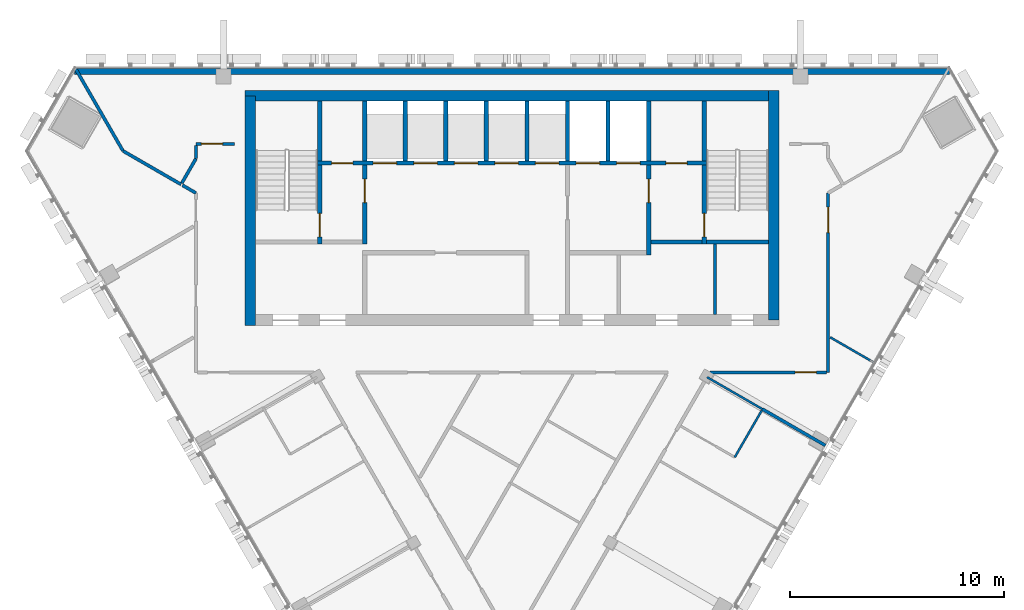
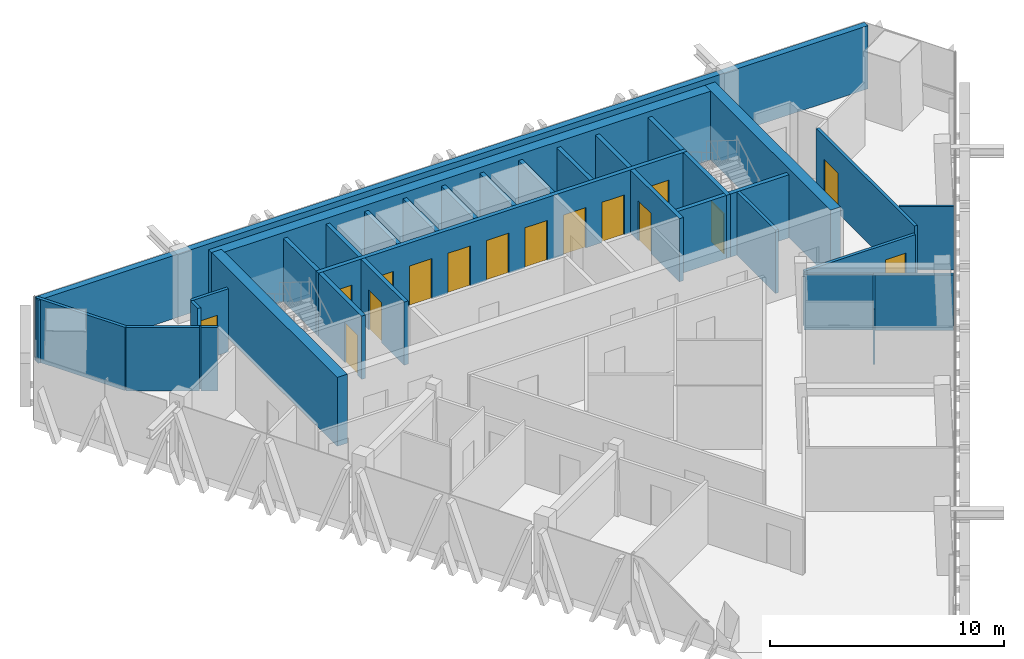
# One storey, part 9 of 12: 34 walls, 16 doors, 16 openings.
"""IFC4 building model written with IfcOpenShell, lengths in metres."""

from ifc_helpers import new_model, si_unit, direction, frame, frame_2d, origin, place, context, subcontext, project, spatial, rectangle, extrude, material, layer, layer_set, type_object, element, fill, save


model = new_model("IFC4")

# Units and contexts
model_context = context("Model", 3, precision=1e-05, world=origin(), true_north=direction((0.0, 1.0)))
body_context = subcontext(model_context, "Body", "Model", "MODEL_VIEW")
ifc_project = project(units=[si_unit("LENGTHUNIT", "METRE"), si_unit("AREAUNIT", "SQUARE_METRE"), si_unit("VOLUMEUNIT", "CUBIC_METRE"), si_unit("PLANEANGLEUNIT", "RADIAN"), si_unit("MASSUNIT", "GRAM", prefix="KILO")], contexts=[model_context])

# Site, building, storey
site_placement = place(None, origin())
site = spatial("IfcSite", under=ifc_project, at=site_placement, CompositionType="ELEMENT")
building_placement = place(site_placement, origin())
building = spatial("IfcBuilding", under=site, at=building_placement, Name="Altiplano Prism Tower", CompositionType="ELEMENT")
storey_placement = place(building_placement, frame((0.0, 0.0, 282.39990234375)))
storey = spatial("IfcBuildingStorey", under=building, at=storey_placement, Name="L73", CompositionType="ELEMENT", Elevation=282.39990234375)

# Walls
ifc_material_1 = material(Name="Concrete C60/75", Category="concrete")
ifc_layer_1 = layer(ifc_material_1, 0.5)
ifc_layer_set_1 = layer_set([ifc_layer_1], Name="Concrete C60/75")
wall_type_1 = type_object("IfcWallType", Name="Core wall 500", PredefinedType="SHEAR", material=ifc_layer_set_1)
wall_1_placement = place(storey_placement, frame((97.25, 93.14990234375, 0.0), z_axis=(0.0, 0.0, 1.0), x_axis=(0.0, 1.0, 0.0)))
element("IfcWall", 1, at=wall_1_placement, inside=storey, type_object=wall_type_1, Name="Core wall E L73", PredefinedType="SHEAR", context=body_context, shape_type="SweptSolid", body=[
    extrude(rectangle(XDim=10.75, YDim=0.5, at=frame_2d((5.375, 0.0))), origin(), (0.0, 0.0, 1.0), 3.60009765625),
])
wall_2_placement = place(storey_placement, frame((97.25, 103.64990234375, 0.0), z_axis=(0.0, 0.0, 1.0), x_axis=(-1.0, 0.0, 0.0)))
element("IfcWall", 2, at=wall_2_placement, inside=storey, type_object=wall_type_1, Name="Core wall N L73", PredefinedType="SHEAR", context=body_context, shape_type="SweptSolid", body=[
    extrude(rectangle(XDim=24.75, YDim=0.5, at=frame_2d((12.375, 0.0))), origin(), (0.0, 0.0, 1.0), 3.60009765625),
])
wall_3_placement = place(storey_placement, frame((72.75, 103.64990234375, 0.0), z_axis=(0.0, 0.0, 1.0), x_axis=(0.0, -1.0, 0.0)))
element("IfcWall", 3, at=wall_3_placement, inside=storey, type_object=wall_type_1, Name="Core wall W L73", PredefinedType="SHEAR", context=body_context, shape_type="SweptSolid", body=[
    extrude(rectangle(XDim=10.75, YDim=0.5, at=frame_2d((5.375, 0.0))), origin(), (0.0, 0.0, 1.0), 3.60009765625),
])
ifc_material_2 = material(Name="Plasterboard on steel stud", Category="steel")
ifc_layer_2 = layer(ifc_material_2, 0.10009765625)
ifc_layer_set_2 = layer_set([ifc_layer_2], Name="Plasterboard on steel stud")
wall_type_2 = type_object("IfcWallType", Name="Partition 100 unit", PredefinedType="PARTITIONING", material=ifc_layer_set_2)
wall_4_placement = place(storey_placement, frame((96.693115234375, 88.9111328125, 0.0), z_axis=(0.0, 0.0, 1.0), x_axis=(-0.50001820224, -0.866014894461, 0.0)))
element("IfcWall", 4, at=wall_4_placement, inside=storey, type_object=wall_type_2, Name="Partition P02 L73 036", PredefinedType="PARTITIONING", context=body_context, shape_type="SweptSolid", body=[
    extrude(rectangle(XDim=2.52490234375, YDim=0.10009765625, at=frame_2d((1.262451171875, 0.0))), origin(), (0.0, 0.0, 1.0), 2.900146484375),
])
ifc_layer_3 = layer(ifc_material_2, 0.10009765625)
ifc_layer_set_3 = layer_set([ifc_layer_3], Name="Plasterboard on steel stud")
wall_type_3 = type_object("IfcWallType", Name="Partition 100 wet", PredefinedType="PARTITIONING", material=ifc_layer_set_3)
wall_5_placement = place(storey_placement, frame((96.71337890625, 88.986083984375, 0.0), z_axis=(0.0, 0.0, 1.0), x_axis=(-0.866031423615, 0.499989573202, 0.0)))
element("IfcWall", 5, at=wall_5_placement, inside=storey, type_object=wall_type_3, Name="Partition P03 L73 039", PredefinedType="PARTITIONING", context=body_context, shape_type="SweptSolid", body=[
    extrude(rectangle(XDim=2.97998046875, YDim=0.10009765625, at=frame_2d((1.489990234375, 0.0))), origin(), (0.0, 0.0, 1.0), 2.900146484375),
])
wall_6_placement = place(storey_placement, frame((101.942626953125, 91.1630859375, 0.0), z_axis=(0.0, 0.0, 1.0), x_axis=(-0.866056314953, 0.499946456463, 0.0)))
element("IfcWall", 6, at=wall_6_placement, inside=storey, type_object=wall_type_3, Name="Partition P03 L73 040", PredefinedType="PARTITIONING", context=body_context, shape_type="SweptSolid", body=[
    extrude(rectangle(XDim=2.358642578125, YDim=0.10009765625, at=frame_2d((1.17919921875, 0.0))), origin(), (0.0, 0.0, 1.0), 3.300048828125),
])
ifc_layer_4 = layer(ifc_material_2, 0.14990234375)
ifc_layer_set_4 = layer_set([ifc_layer_4], Name="Plasterboard on steel stud")
wall_type_4 = type_object("IfcWallType", Name="Partition 150 corridor", PredefinedType="PARTITIONING", material=ifc_layer_set_4)
wall_7_placement = place(storey_placement, frame((69.56787109375, 99.46240234375, 0.0), z_axis=(0.0, 0.0, 1.0), x_axis=(0.865990618459, -0.500060245112, 0.0)))
element("IfcWall", 7, at=wall_7_placement, inside=storey, type_object=wall_type_4, Name="Partition P06 L73 002", PredefinedType="PARTITIONING", context=body_context, shape_type="SweptSolid", body=[
    extrude(rectangle(XDim=0.72998046875, YDim=0.14990234375, at=frame_2d((0.364990234375, 0.0))), origin(), (0.0, 0.0, 1.0), 3.300048828125),
])

# Wall, opening, door
wall_8_placement = place(storey_placement, frame((94.26171875, 90.699951171875, 0.0), z_axis=(0.0, 0.0, 1.0), x_axis=(1.0, 0.0, 0.0)))
wall_8 = element("IfcWall", 8, at=wall_8_placement, inside=storey, type_object=wall_type_4, Name="Partition P06 L73 007", PredefinedType="PARTITIONING", context=body_context, shape_type="SweptSolid", body=[
    extrude(rectangle(XDim=5.463134765625, YDim=0.14990234375, at=frame_2d((2.7314453125, 0.0))), origin(), (0.0, 0.0, 1.0), 2.900146484375),
])
opening_1_placement = place(wall_8_placement, frame((3.9951171875, 0.0, 0.0)))
opening_1 = element("IfcOpeningElement", 9, at=opening_1_placement, cuts=wall_8, Name="Opening D2285", PredefinedType="OPENING", context=body_context, shape_type="SweptSolid", body=[
    extrude(rectangle(XDim=1.0, YDim=2.10009765625, at=frame_2d((0.5, 1.050048828125))), frame((0.0, 0.08544921875, 0.0), z_axis=(0.0, -1.0, 0.0), x_axis=(1.0, 0.0, 0.0)), (0.0, 0.0, 1.0), 0.1708984375),
])
ifc_material_3 = material(Name="Timber", Category="wood")
door_type_1 = type_object("IfcDoorType", Name="Room door 1000 x 2100", OperationType="NOTDEFINED", PredefinedType="NOTDEFINED", material=ifc_material_3)
door_1_placement = place(opening_1_placement, origin())
door_1 = element("IfcDoor", 10, at=door_1_placement, inside=storey, type_object=door_type_1, Name="Door D2285", OperationType="SINGLE_SWING_LEFT", OverallHeight=2.10009765625, OverallWidth=1.0, PredefinedType="NOTDEFINED", context=body_context, shape_type="SweptSolid", body=[
    extrude(rectangle(XDim=1.0, YDim=2.10009765625, at=frame_2d((0.5, 1.050048828125))), frame((0.0, 0.02490234375, 0.0), z_axis=(0.0, -1.0, 0.0), x_axis=(1.0, 0.0, 0.0)), (0.0, 0.0, 1.0), 0.050048828125),
])
fill(opening_1, door_1)

wall_9_placement = place(storey_placement, frame((99.800048828125, 90.699951171875, 0.0), z_axis=(0.0, 0.0, 1.0), x_axis=(0.0, 1.0, 0.0)))
wall_9 = element("IfcWall", 11, at=wall_9_placement, inside=storey, type_object=wall_type_4, Name="Partition P06 L73 008", PredefinedType="PARTITIONING", context=body_context, shape_type="SweptSolid", body=[
    extrude(rectangle(XDim=8.3974609375, YDim=0.14990234375, at=frame_2d((4.19873046875, 0.0))), origin(), (0.0, 0.0, 1.0), 3.300048828125),
])
opening_2_placement = place(wall_9_placement, frame((6.5380859375, 0.0, 0.0)))
opening_2 = element("IfcOpeningElement", 12, at=opening_2_placement, cuts=wall_9, Name="Opening D2286", PredefinedType="OPENING", context=body_context, shape_type="SweptSolid", body=[
    extrude(rectangle(XDim=1.199951171875, YDim=2.10009765625, at=frame_2d((0.60009765625, 1.050048828125))), frame((0.0, 0.08544921875, 0.0), z_axis=(0.0, -1.0, 0.0), x_axis=(1.0, 0.0, 0.0)), (0.0, 0.0, 1.0), 0.1708984375),
])
door_type_2 = type_object("IfcDoorType", Name="Shared room door 1200 x 2100", OperationType="NOTDEFINED", PredefinedType="NOTDEFINED", material=ifc_material_3)
door_2_placement = place(opening_2_placement, origin())
door_2 = element("IfcDoor", 13, at=door_2_placement, inside=storey, type_object=door_type_2, Name="Door D2286", OperationType="SINGLE_SWING_LEFT", OverallHeight=2.10009765625, OverallWidth=1.199951171875, PredefinedType="NOTDEFINED", context=body_context, shape_type="SweptSolid", body=[
    extrude(rectangle(XDim=1.199951171875, YDim=2.10009765625, at=frame_2d((0.60009765625, 1.050048828125))), frame((0.0, 0.02490234375, 0.0), z_axis=(0.0, -1.0, 0.0), x_axis=(1.0, 0.0, 0.0)), (0.0, 0.0, 1.0), 0.050048828125),
])
fill(opening_2, door_2)

wall_10_placement = place(storey_placement, frame((72.0, 101.39990234375, 0.0), z_axis=(0.0, 0.0, 1.0), x_axis=(-1.0, 0.0, 0.0)))
wall_10 = element("IfcWall", 14, at=wall_10_placement, inside=storey, type_object=wall_type_4, Name="Partition P06 L73 013", PredefinedType="PARTITIONING", context=body_context, shape_type="SweptSolid", body=[
    extrude(rectangle(XDim=1.800048828125, YDim=0.14990234375, at=frame_2d((0.89990234375, 0.0))), origin(), (0.0, 0.0, 1.0), 3.300048828125),
])
opening_3_placement = place(wall_10_placement, frame((0.550048828125, 0.0, 0.0)))
opening_3 = element("IfcOpeningElement", 15, at=opening_3_placement, cuts=wall_10, Name="Opening D2288", PredefinedType="OPENING", context=body_context, shape_type="SweptSolid", body=[
    extrude(rectangle(XDim=1.0, YDim=2.10009765625, at=frame_2d((0.5, 1.050048828125))), frame((0.0, 0.08544921875, 0.0), z_axis=(0.0, -1.0, 0.0), x_axis=(1.0, 0.0, 0.0)), (0.0, 0.0, 1.0), 0.1708984375),
])
door_type_3 = type_object("IfcDoorType", Name="Store door 1000 x 2100", OperationType="NOTDEFINED", PredefinedType="NOTDEFINED", material=ifc_material_3)
door_3_placement = place(opening_3_placement, origin())
door_3 = element("IfcDoor", 16, at=door_3_placement, inside=storey, type_object=door_type_3, Name="Door D2288", OperationType="SINGLE_SWING_RIGHT", OverallHeight=2.10009765625, OverallWidth=1.0, PredefinedType="NOTDEFINED", context=body_context, shape_type="SweptSolid", body=[
    extrude(rectangle(XDim=1.0, YDim=2.10009765625, at=frame_2d((0.5, 1.050048828125))), frame((0.0, 0.02490234375, 0.0), z_axis=(0.0, -1.0, 0.0), x_axis=(1.0, 0.0, 0.0)), (0.0, 0.0, 1.0), 0.050048828125),
])
fill(opening_3, door_3)

# Walls
wall_11_placement = place(storey_placement, frame((70.199951171875, 101.324951171875, 0.0), z_axis=(0.0, 0.0, 1.0), x_axis=(0.0, -1.0, 0.0)))
element("IfcWall", 17, at=wall_11_placement, inside=storey, type_object=wall_type_4, Name="Partition P06 L73 014", PredefinedType="PARTITIONING", context=body_context, shape_type="SweptSolid", body=[
    extrude(rectangle(XDim=0.617431640625, YDim=0.14990234375, at=frame_2d((0.30859375, 0.0))), origin(), (0.0, 0.0, 1.0), 3.300048828125),
])
wall_12_placement = place(storey_placement, frame((70.199951171875, 100.70751953125, 0.0), z_axis=(0.0, 0.0, 1.0), x_axis=(-0.500000102728, -0.866025344474, 0.0)))
element("IfcWall", 18, at=wall_12_placement, inside=storey, type_object=wall_type_4, Name="Partition P06 L73 015", PredefinedType="PARTITIONING", context=body_context, shape_type="SweptSolid", body=[
    extrude(rectangle(XDim=1.3193359375, YDim=0.14990234375, at=frame_2d((0.65966796875, 0.0))), origin(), (0.0, 0.0, 1.0), 3.300048828125),
])
ifc_layer_5 = layer(ifc_material_2, 0.14990234375)
ifc_layer_set_5 = layer_set([ifc_layer_5], Name="Plasterboard on steel stud")
wall_type_5 = type_object("IfcWallType", Name="Partition 150 party", PredefinedType="PARTITIONING", material=ifc_layer_set_5)
wall_13_placement = place(storey_placement, frame((69.5029296875, 99.5, 0.0), z_axis=(0.0, 0.0, 1.0), x_axis=(-0.866022320763, 0.500005339912, 0.0)))
element("IfcWall", 19, at=wall_13_placement, inside=storey, type_object=wall_type_5, Name="Partition P01 L73 024", PredefinedType="PARTITIONING", context=body_context, shape_type="SweptSolid", body=[
    extrude(rectangle(XDim=3.1376953125, YDim=0.14990234375, at=frame_2d((1.56884765625, 0.0))), origin(), (0.0, 0.0, 1.0), 3.300048828125),
])
wall_14_placement = place(storey_placement, frame((66.78564453125, 101.06884765625, 0.0), z_axis=(0.0, 0.0, 1.0), x_axis=(-0.500009088543, 0.866020156448, 0.0)))
element("IfcWall", 20, at=wall_14_placement, inside=storey, type_object=wall_type_5, Name="Partition P01 L73 025", PredefinedType="PARTITIONING", context=body_context, shape_type="SweptSolid", body=[
    extrude(rectangle(XDim=4.423828125, YDim=0.14990234375, at=frame_2d((2.2119140625, 0.0))), origin(), (0.0, 0.0, 1.0), 3.300048828125),
])
wall_15_placement = place(storey_placement, frame((99.675048828125, 87.276123046875, 0.0), z_axis=(0.0, 0.0, 1.0), x_axis=(-0.866020337685, 0.500008774639, 0.0)))
element("IfcWall", 21, at=wall_15_placement, inside=storey, type_object=wall_type_5, Name="Partition P01 L73 038", PredefinedType="PARTITIONING", context=body_context, shape_type="SweptSolid", body=[
    extrude(rectangle(XDim=3.419921875, YDim=0.14990234375, at=frame_2d((1.7099609375, 0.0))), origin(), (0.0, 0.0, 1.0), 2.900146484375),
])
ifc_material_4 = material(Name="Fire-rated gypsum board partition")
ifc_layer_6 = layer(ifc_material_4, 0.14990234375)
ifc_layer_set_6 = layer_set([ifc_layer_6], Name="Fire-rated gypsum board partition")
wall_type_6 = type_object("IfcWallType", Name="Room partition 150", PredefinedType="PARTITIONING", material=ifc_layer_set_6)
wall_16_placement = place(storey_placement, frame((94.5, 93.39990234375, 0.0), z_axis=(0.0, 0.0, 1.0), x_axis=(0.0, 1.0, 0.0)))
element("IfcWall", 22, at=wall_16_placement, inside=storey, type_object=wall_type_6, Name="Room partition L73", PredefinedType="PARTITIONING", context=body_context, shape_type="SweptSolid", body=[
    extrude(rectangle(XDim=3.300048828125, YDim=0.14990234375, at=frame_2d((1.64990234375, 0.0))), origin(), (0.0, 0.0, 1.0), 3.300048828125),
])
ifc_layer_7 = layer(ifc_material_1, 0.199951171875)
ifc_layer_set_7 = layer_set([ifc_layer_7], Name="Concrete C60/75")
wall_type_7 = type_object("IfcWallType", Name="Shaft wall 200", PredefinedType="SOLIDWALL", material=ifc_layer_set_7)
for number, where, z_axis, x_axis, name in (
    (23, (78.10009765625, 100.60009765625, 0.0), (0.0, 0.0, 1.0), (0.0, 1.0, 0.0), "Shaft wall L73"),
    (24, (80.0, 100.60009765625, 0.0), (0.0, 0.0, 1.0), (0.0, 1.0, 0.0), "Shaft wall L73"),
    (25, (81.89990234375, 100.60009765625, 0.0), (0.0, 0.0, 1.0), (0.0, 1.0, 0.0), "Shaft wall L73"),
    (26, (83.800048828125, 100.60009765625, 0.0), (0.0, 0.0, 1.0), (0.0, 1.0, 0.0), "Shaft wall L73"),
    (27, (85.699951171875, 100.60009765625, 0.0), (0.0, 0.0, 1.0), (0.0, 1.0, 0.0), "Shaft wall L73"),
    (28, (87.60009765625, 100.60009765625, 0.0), (0.0, 0.0, 1.0), (0.0, 1.0, 0.0), "Shaft wall L73"),
    (29, (89.5, 100.60009765625, 0.0), (0.0, 0.0, 1.0), (0.0, 1.0, 0.0), "Shaft wall L73"),
    (30, (91.39990234375, 100.60009765625, 0.0), (0.0, 0.0, 1.0), (0.0, 1.0, 0.0), "Shaft wall L73"),
):
    element("IfcWall", number, at=place(storey_placement, frame(where, z_axis=z_axis, x_axis=x_axis)), inside=storey, type_object=wall_type_7, Name=name, PredefinedType="SOLIDWALL", context=body_context, shape_type="SweptSolid", body=[
        extrude(rectangle(XDim=2.7998046875, YDim=0.199951171875, at=frame_2d((1.39990234375, 0.0))), origin(), (0.0, 0.0, 1.0), 3.300048828125),
    ])

# Wall, opening, door
ifc_layer_8 = layer(ifc_material_1, 0.199951171875)
ifc_layer_set_8 = layer_set([ifc_layer_8], Name="Concrete C60/75")
wall_type_8 = type_object("IfcWallType", Name="Stair wall 200", PredefinedType="SOLIDWALL", material=ifc_layer_set_8)
wall_17_placement = place(storey_placement, frame((76.0, 96.699951171875, 0.0), z_axis=(0.0, 0.0, 1.0), x_axis=(0.0, 1.0, 0.0)))
wall_17 = element("IfcWall", 31, at=wall_17_placement, inside=storey, type_object=wall_type_8, Name="Stair wall L73", PredefinedType="SOLIDWALL", context=body_context, shape_type="SweptSolid", body=[
    extrude(rectangle(XDim=3.699951171875, YDim=0.199951171875, at=frame_2d((1.85009765625, 0.0))), origin(), (0.0, 0.0, 1.0), 3.300048828125),
])
opening_4_placement = place(wall_17_placement, frame((0.35009765625, 0.0, 0.0)))
opening_4 = element("IfcOpeningElement", 32, at=opening_4_placement, cuts=wall_17, Name="Opening D3606", PredefinedType="OPENING", context=body_context, shape_type="SweptSolid", body=[
    extrude(rectangle(XDim=1.10009765625, YDim=2.10009765625, at=frame_2d((0.550048828125, 1.050048828125))), frame((0.0, 0.1103515625, 0.0), z_axis=(0.0, -1.0, 0.0), x_axis=(1.0, 0.0, 0.0)), (0.0, 0.0, 1.0), 0.220947265625),
])
ifc_material_5 = material(Name="Fire-rated steel door", Category="steel")
door_type_4 = type_object("IfcDoorType", Name="Stair fire door 1100 x 2100", OperationType="NOTDEFINED", PredefinedType="NOTDEFINED", material=ifc_material_5)
door_4_placement = place(opening_4_placement, origin())
door_4 = element("IfcDoor", 33, at=door_4_placement, inside=storey, type_object=door_type_4, Name="Stair fire door D3606", OperationType="SINGLE_SWING_RIGHT", OverallHeight=2.10009765625, OverallWidth=1.10009765625, PredefinedType="NOTDEFINED", context=body_context, shape_type="SweptSolid", body=[
    extrude(rectangle(XDim=1.10009765625, YDim=2.10009765625, at=frame_2d((0.550048828125, 1.050048828125))), frame((0.0, 0.02490234375, 0.0), z_axis=(0.0, -1.0, 0.0), x_axis=(1.0, 0.0, 0.0)), (0.0, 0.0, 1.0), 0.050048828125),
])
fill(opening_4, door_4)

wall_18_placement = place(storey_placement, frame((94.0, 96.699951171875, 0.0), z_axis=(0.0, 0.0, 1.0), x_axis=(0.0, 1.0, 0.0)))
wall_18 = element("IfcWall", 34, at=wall_18_placement, inside=storey, type_object=wall_type_8, Name="Stair wall L73", PredefinedType="SOLIDWALL", context=body_context, shape_type="SweptSolid", body=[
    extrude(rectangle(XDim=3.699951171875, YDim=0.199951171875, at=frame_2d((1.85009765625, 0.0))), origin(), (0.0, 0.0, 1.0), 3.300048828125),
])
opening_5_placement = place(wall_18_placement, frame((0.35009765625, 0.0, 0.0)))
opening_5 = element("IfcOpeningElement", 35, at=opening_5_placement, cuts=wall_18, Name="Opening D3607", PredefinedType="OPENING", context=body_context, shape_type="SweptSolid", body=[
    extrude(rectangle(XDim=1.10009765625, YDim=2.10009765625, at=frame_2d((0.550048828125, 1.050048828125))), frame((0.0, 0.1103515625, 0.0), z_axis=(0.0, -1.0, 0.0), x_axis=(1.0, 0.0, 0.0)), (0.0, 0.0, 1.0), 0.220947265625),
])
door_5_placement = place(opening_5_placement, origin())
door_5 = element("IfcDoor", 36, at=door_5_placement, inside=storey, type_object=door_type_4, Name="Stair fire door D3607", OperationType="SINGLE_SWING_LEFT", OverallHeight=2.10009765625, OverallWidth=1.10009765625, PredefinedType="NOTDEFINED", context=body_context, shape_type="SweptSolid", body=[
    extrude(rectangle(XDim=1.10009765625, YDim=2.10009765625, at=frame_2d((0.550048828125, 1.050048828125))), frame((0.0, 0.02490234375, 0.0), z_axis=(0.0, -1.0, 0.0), x_axis=(1.0, 0.0, 0.0)), (0.0, 0.0, 1.0), 0.050048828125),
])
fill(opening_5, door_5)

# Wall
wall_19_placement = place(storey_placement, frame((94.10009765625, 96.800048828125, 0.0), z_axis=(0.0, 0.0, 1.0), x_axis=(1.0, 0.0, 0.0)))
element("IfcWall", 37, at=wall_19_placement, inside=storey, type_object=wall_type_8, Name="Stair wall L73", PredefinedType="SOLIDWALL", context=body_context, shape_type="SweptSolid", body=[
    extrude(rectangle(XDim=2.89990234375, YDim=0.199951171875, at=frame_2d((1.449951171875, 0.0))), origin(), (0.0, 0.0, 1.0), 3.300048828125),
])

# Wall, openings, doors
wall_20_placement = place(storey_placement, frame((75.89990234375, 100.5, 0.0), z_axis=(0.0, 0.0, 1.0), x_axis=(1.0, 0.0, 0.0)))
wall_20 = element("IfcWall", 38, at=wall_20_placement, inside=storey, type_object=wall_type_8, Name="Stair wall L73", PredefinedType="SOLIDWALL", context=body_context, shape_type="SweptSolid", body=[
    extrude(rectangle(XDim=18.2001953125, YDim=0.199951171875, at=frame_2d((9.10009765625, 0.0))), origin(), (0.0, 0.0, 1.0), 3.300048828125),
])
opening_6_placement = place(wall_20_placement, frame((2.60009765625, 0.0, 0.0)))
opening_6 = element("IfcOpeningElement", 39, at=opening_6_placement, cuts=wall_20, Name="Opening LD-HL1-L73", PredefinedType="OPENING", context=body_context, shape_type="SweptSolid", body=[
    extrude(rectangle(XDim=1.10009765625, YDim=2.10009765625, at=frame_2d((0.550048828125, 1.050048828125))), frame((0.0, 0.1103515625, 0.0), z_axis=(0.0, -1.0, 0.0), x_axis=(1.0, 0.0, 0.0)), (0.0, 0.0, 1.0), 0.220947265625),
])
opening_7_placement = place(wall_20_placement, frame((4.5, 0.0, 0.0)))
opening_7 = element("IfcOpeningElement", 40, at=opening_7_placement, cuts=wall_20, Name="Opening LD-HL2-L73", PredefinedType="OPENING", context=body_context, shape_type="SweptSolid", body=[
    extrude(rectangle(XDim=1.10009765625, YDim=2.10009765625, at=frame_2d((0.550048828125, 1.050048828125))), frame((0.0, 0.1103515625, 0.0), z_axis=(0.0, -1.0, 0.0), x_axis=(1.0, 0.0, 0.0)), (0.0, 0.0, 1.0), 0.220947265625),
])
opening_8_placement = place(wall_20_placement, frame((6.39990234375, 0.0, 0.0)))
opening_8 = element("IfcOpeningElement", 41, at=opening_8_placement, cuts=wall_20, Name="Opening LD-HL3-L73", PredefinedType="OPENING", context=body_context, shape_type="SweptSolid", body=[
    extrude(rectangle(XDim=1.10009765625, YDim=2.10009765625, at=frame_2d((0.550048828125, 1.050048828125))), frame((0.0, 0.1103515625, 0.0), z_axis=(0.0, -1.0, 0.0), x_axis=(1.0, 0.0, 0.0)), (0.0, 0.0, 1.0), 0.220947265625),
])
opening_9_placement = place(wall_20_placement, frame((8.300048828125, 0.0, 0.0)))
opening_9 = element("IfcOpeningElement", 42, at=opening_9_placement, cuts=wall_20, Name="Opening LD-HL4-L73", PredefinedType="OPENING", context=body_context, shape_type="SweptSolid", body=[
    extrude(rectangle(XDim=1.10009765625, YDim=2.10009765625, at=frame_2d((0.550048828125, 1.050048828125))), frame((0.0, 0.1103515625, 0.0), z_axis=(0.0, -1.0, 0.0), x_axis=(1.0, 0.0, 0.0)), (0.0, 0.0, 1.0), 0.220947265625),
])
opening_10_placement = place(wall_20_placement, frame((10.199951171875, 0.0, 0.0)))
opening_10 = element("IfcOpeningElement", 43, at=opening_10_placement, cuts=wall_20, Name="Opening LD-HL5-L73", PredefinedType="OPENING", context=body_context, shape_type="SweptSolid", body=[
    extrude(rectangle(XDim=1.10009765625, YDim=2.10009765625, at=frame_2d((0.550048828125, 1.050048828125))), frame((0.0, 0.1103515625, 0.0), z_axis=(0.0, -1.0, 0.0), x_axis=(1.0, 0.0, 0.0)), (0.0, 0.0, 1.0), 0.220947265625),
])
opening_11_placement = place(wall_20_placement, frame((12.10009765625, 0.0, 0.0)))
opening_11 = element("IfcOpeningElement", 44, at=opening_11_placement, cuts=wall_20, Name="Opening LD-FF1-L73", PredefinedType="OPENING", context=body_context, shape_type="SweptSolid", body=[
    extrude(rectangle(XDim=1.10009765625, YDim=2.10009765625, at=frame_2d((0.550048828125, 1.050048828125))), frame((0.0, 0.1103515625, 0.0), z_axis=(0.0, -1.0, 0.0), x_axis=(1.0, 0.0, 0.0)), (0.0, 0.0, 1.0), 0.220947265625),
])
opening_12_placement = place(wall_20_placement, frame((14.0, 0.0, 0.0)))
opening_12 = element("IfcOpeningElement", 45, at=opening_12_placement, cuts=wall_20, Name="Opening LD-FF2-L73", PredefinedType="OPENING", context=body_context, shape_type="SweptSolid", body=[
    extrude(rectangle(XDim=1.10009765625, YDim=2.10009765625, at=frame_2d((0.550048828125, 1.050048828125))), frame((0.0, 0.1103515625, 0.0), z_axis=(0.0, -1.0, 0.0), x_axis=(1.0, 0.0, 0.0)), (0.0, 0.0, 1.0), 0.220947265625),
])
opening_13_placement = place(wall_20_placement, frame((0.64990234375, 0.0, 0.0)))
opening_13 = element("IfcOpeningElement", 46, at=opening_13_placement, cuts=wall_20, Name="Opening D3614", PredefinedType="OPENING", context=body_context, shape_type="SweptSolid", body=[
    extrude(rectangle(XDim=1.0, YDim=2.10009765625, at=frame_2d((0.5, 1.050048828125))), frame((0.0, 0.1103515625, 0.0), z_axis=(0.0, -1.0, 0.0), x_axis=(1.0, 0.0, 0.0)), (0.0, 0.0, 1.0), 0.220947265625),
])
opening_14_placement = place(wall_20_placement, frame((16.300048828125, 0.0, 0.0)))
opening_14 = element("IfcOpeningElement", 47, at=opening_14_placement, cuts=wall_20, Name="Opening D3615", PredefinedType="OPENING", context=body_context, shape_type="SweptSolid", body=[
    extrude(rectangle(XDim=1.0, YDim=2.10009765625, at=frame_2d((0.5, 1.050048828125))), frame((0.0, 0.1103515625, 0.0), z_axis=(0.0, -1.0, 0.0), x_axis=(1.0, 0.0, 0.0)), (0.0, 0.0, 1.0), 0.220947265625),
])
door_type_5 = type_object("IfcDoorType", Name="Core room door 1000 x 2100", OperationType="NOTDEFINED", PredefinedType="NOTDEFINED", material=ifc_material_5)
door_6_placement = place(opening_13_placement, origin())
door_6 = element("IfcDoor", 48, at=door_6_placement, inside=storey, type_object=door_type_5, Name="Core room door D3614", OperationType="SINGLE_SWING_LEFT", OverallHeight=2.10009765625, OverallWidth=1.0, PredefinedType="NOTDEFINED", context=body_context, shape_type="SweptSolid", body=[
    extrude(rectangle(XDim=1.0, YDim=2.10009765625, at=frame_2d((0.5, 1.050048828125))), frame((0.0, 0.02490234375, 0.0), z_axis=(0.0, -1.0, 0.0), x_axis=(1.0, 0.0, 0.0)), (0.0, 0.0, 1.0), 0.050048828125),
])
fill(opening_13, door_6)
door_7_placement = place(opening_14_placement, origin())
door_7 = element("IfcDoor", 49, at=door_7_placement, inside=storey, type_object=door_type_5, Name="Core room door D3615", OperationType="SINGLE_SWING_RIGHT", OverallHeight=2.10009765625, OverallWidth=1.0, PredefinedType="NOTDEFINED", context=body_context, shape_type="SweptSolid", body=[
    extrude(rectangle(XDim=1.0, YDim=2.10009765625, at=frame_2d((0.5, 1.050048828125))), frame((0.0, 0.02490234375, 0.0), z_axis=(0.0, -1.0, 0.0), x_axis=(1.0, 0.0, 0.0)), (0.0, 0.0, 1.0), 0.050048828125),
])
fill(opening_14, door_7)
ifc_material_6 = material(Name="Stainless steel landing door", Category="steel")
door_type_6 = type_object("IfcDoorType", Name="Landing door 1100 x 2100", OperationType="NOTDEFINED", PredefinedType="NOTDEFINED", material=ifc_material_6)
door_8_placement = place(opening_6_placement, origin())
door_8 = element("IfcDoor", 50, at=door_8_placement, inside=storey, type_object=door_type_6, Name="Landing doors HL1", OperationType="SLIDING_TO_RIGHT", OverallHeight=2.10009765625, OverallWidth=1.10009765625, PredefinedType="NOTDEFINED", context=body_context, shape_type="SweptSolid", body=[
    extrude(rectangle(XDim=1.10009765625, YDim=2.10009765625, at=frame_2d((0.550048828125, 1.050048828125))), frame((0.0, 0.02490234375, 0.0), z_axis=(0.0, -1.0, 0.0), x_axis=(1.0, 0.0, 0.0)), (0.0, 0.0, 1.0), 0.050048828125),
])
fill(opening_6, door_8)
door_9_placement = place(opening_7_placement, origin())
door_9 = element("IfcDoor", 51, at=door_9_placement, inside=storey, type_object=door_type_6, Name="Landing doors HL2", OperationType="SLIDING_TO_LEFT", OverallHeight=2.10009765625, OverallWidth=1.10009765625, PredefinedType="NOTDEFINED", context=body_context, shape_type="SweptSolid", body=[
    extrude(rectangle(XDim=1.10009765625, YDim=2.10009765625, at=frame_2d((0.550048828125, 1.050048828125))), frame((0.0, 0.02490234375, 0.0), z_axis=(0.0, -1.0, 0.0), x_axis=(1.0, 0.0, 0.0)), (0.0, 0.0, 1.0), 0.050048828125),
])
fill(opening_7, door_9)
door_10_placement = place(opening_8_placement, origin())
door_10 = element("IfcDoor", 52, at=door_10_placement, inside=storey, type_object=door_type_6, Name="Landing doors HL3", OperationType="SLIDING_TO_RIGHT", OverallHeight=2.10009765625, OverallWidth=1.10009765625, PredefinedType="NOTDEFINED", context=body_context, shape_type="SweptSolid", body=[
    extrude(rectangle(XDim=1.10009765625, YDim=2.10009765625, at=frame_2d((0.550048828125, 1.050048828125))), frame((0.0, 0.02490234375, 0.0), z_axis=(0.0, -1.0, 0.0), x_axis=(1.0, 0.0, 0.0)), (0.0, 0.0, 1.0), 0.050048828125),
])
fill(opening_8, door_10)
door_11_placement = place(opening_9_placement, origin())
door_11 = element("IfcDoor", 53, at=door_11_placement, inside=storey, type_object=door_type_6, Name="Landing doors HL4", OperationType="SLIDING_TO_LEFT", OverallHeight=2.10009765625, OverallWidth=1.10009765625, PredefinedType="NOTDEFINED", context=body_context, shape_type="SweptSolid", body=[
    extrude(rectangle(XDim=1.10009765625, YDim=2.10009765625, at=frame_2d((0.550048828125, 1.050048828125))), frame((0.0, 0.02490234375, 0.0), z_axis=(0.0, -1.0, 0.0), x_axis=(1.0, 0.0, 0.0)), (0.0, 0.0, 1.0), 0.050048828125),
])
fill(opening_9, door_11)
door_12_placement = place(opening_10_placement, origin())
door_12 = element("IfcDoor", 54, at=door_12_placement, inside=storey, type_object=door_type_6, Name="Landing doors HL5", OperationType="SLIDING_TO_RIGHT", OverallHeight=2.10009765625, OverallWidth=1.10009765625, PredefinedType="NOTDEFINED", context=body_context, shape_type="SweptSolid", body=[
    extrude(rectangle(XDim=1.10009765625, YDim=2.10009765625, at=frame_2d((0.550048828125, 1.050048828125))), frame((0.0, 0.02490234375, 0.0), z_axis=(0.0, -1.0, 0.0), x_axis=(1.0, 0.0, 0.0)), (0.0, 0.0, 1.0), 0.050048828125),
])
fill(opening_10, door_12)
door_13_placement = place(opening_11_placement, origin())
door_13 = element("IfcDoor", 55, at=door_13_placement, inside=storey, type_object=door_type_6, Name="Landing doors FF1", OperationType="SLIDING_TO_RIGHT", OverallHeight=2.10009765625, OverallWidth=1.10009765625, PredefinedType="NOTDEFINED", context=body_context, shape_type="SweptSolid", body=[
    extrude(rectangle(XDim=1.10009765625, YDim=2.10009765625, at=frame_2d((0.550048828125, 1.050048828125))), frame((0.0, 0.02490234375, 0.0), z_axis=(0.0, -1.0, 0.0), x_axis=(1.0, 0.0, 0.0)), (0.0, 0.0, 1.0), 0.050048828125),
])
fill(opening_11, door_13)
door_14_placement = place(opening_12_placement, origin())
door_14 = element("IfcDoor", 56, at=door_14_placement, inside=storey, type_object=door_type_6, Name="Landing doors FF2", OperationType="SLIDING_TO_LEFT", OverallHeight=2.10009765625, OverallWidth=1.10009765625, PredefinedType="NOTDEFINED", context=body_context, shape_type="SweptSolid", body=[
    extrude(rectangle(XDim=1.10009765625, YDim=2.10009765625, at=frame_2d((0.550048828125, 1.050048828125))), frame((0.0, 0.02490234375, 0.0), z_axis=(0.0, -1.0, 0.0), x_axis=(1.0, 0.0, 0.0)), (0.0, 0.0, 1.0), 0.050048828125),
])
fill(opening_12, door_14)

# Walls
for number, where, z_axis, x_axis, name in (
    (57, (76.0, 100.60009765625, 0.0), (0.0, 0.0, 1.0), (0.0, 1.0, 0.0), "Stair wall L73"),
    (58, (94.0, 100.60009765625, 0.0), (0.0, 0.0, 1.0), (0.0, 1.0, 0.0), "Stair wall L73"),
):
    element("IfcWall", number, at=place(storey_placement, frame(where, z_axis=z_axis, x_axis=x_axis)), inside=storey, type_object=wall_type_8, Name=name, PredefinedType="SOLIDWALL", context=body_context, shape_type="SweptSolid", body=[
        extrude(rectangle(XDim=2.7998046875, YDim=0.199951171875, at=frame_2d((1.39990234375, 0.0))), origin(), (0.0, 0.0, 1.0), 3.300048828125),
    ])
ifc_material_7 = material(Name="Concrete C40", Category="concrete")
ifc_layer_9 = layer(ifc_material_7, 0.300048828125)
ifc_layer_set_9 = layer_set([ifc_layer_9], Name="Concrete C40")
wall_type_9 = type_object("IfcWallType", Name="Stone-clad external wall 300", PredefinedType="SOLIDWALL", material=ifc_layer_set_9)
wall_21_placement = place(storey_placement, frame((64.515869140625, 104.7900390625, 0.0), z_axis=(0.0, 0.0, 1.0), x_axis=(1.0, 0.0, 0.0)))
element("IfcWall", 59, at=wall_21_placement, inside=storey, type_object=wall_type_9, Name="External wall north face L73", PredefinedType="SOLIDWALL", context=body_context, shape_type="SweptSolid", body=[
    extrude(rectangle(XDim=40.96826171875, YDim=0.300048828125, at=frame_2d((20.484130859375, 0.0))), origin(), (0.0, 0.0, 1.0), 3.300048828125),
])

# Wall, opening, door
ifc_layer_10 = layer(ifc_material_1, 0.199951171875)
ifc_layer_set_10 = layer_set([ifc_layer_10], Name="Concrete C60/75")
wall_type_10 = type_object("IfcWallType", Name="Vestibule wall 200", PredefinedType="PARTITIONING", material=ifc_layer_set_10)
wall_22_placement = place(storey_placement, frame((91.39990234375, 96.199951171875, 0.0), z_axis=(0.0, 0.0, 1.0), x_axis=(0.0, 1.0, 0.0)))
wall_22 = element("IfcWall", 60, at=wall_22_placement, inside=storey, type_object=wall_type_10, Name="Vestibule wall L73", PredefinedType="PARTITIONING", context=body_context, shape_type="SweptSolid", body=[
    extrude(rectangle(XDim=4.199951171875, YDim=0.199951171875, at=frame_2d((2.10009765625, 0.0))), origin(), (0.0, 0.0, 1.0), 3.300048828125),
])
opening_15_placement = place(wall_22_placement, frame((2.449951171875, 0.0, 0.0)))
opening_15 = element("IfcOpeningElement", 61, at=opening_15_placement, cuts=wall_22, Name="Opening D3610", PredefinedType="OPENING", context=body_context, shape_type="SweptSolid", body=[
    extrude(rectangle(XDim=1.10009765625, YDim=2.10009765625, at=frame_2d((0.550048828125, 1.050048828125))), frame((0.0, 0.1103515625, 0.0), z_axis=(0.0, -1.0, 0.0), x_axis=(1.0, 0.0, 0.0)), (0.0, 0.0, 1.0), 0.220947265625),
])
door_type_7 = type_object("IfcDoorType", Name="Vestibule fire door 1100 x 2100", OperationType="NOTDEFINED", PredefinedType="NOTDEFINED", material=ifc_material_5)
door_15_placement = place(opening_15_placement, origin())
door_15 = element("IfcDoor", 62, at=door_15_placement, inside=storey, type_object=door_type_7, Name="Vestibule fire door D3610", OperationType="SINGLE_SWING_LEFT", OverallHeight=2.10009765625, OverallWidth=1.10009765625, PredefinedType="NOTDEFINED", context=body_context, shape_type="SweptSolid", body=[
    extrude(rectangle(XDim=1.10009765625, YDim=2.10009765625, at=frame_2d((0.550048828125, 1.050048828125))), frame((0.0, 0.02490234375, 0.0), z_axis=(0.0, -1.0, 0.0), x_axis=(1.0, 0.0, 0.0)), (0.0, 0.0, 1.0), 0.050048828125),
])
fill(opening_15, door_15)

wall_23_placement = place(storey_placement, frame((78.10009765625, 96.699951171875, 0.0), z_axis=(0.0, 0.0, 1.0), x_axis=(0.0, 1.0, 0.0)))
wall_23 = element("IfcWall", 63, at=wall_23_placement, inside=storey, type_object=wall_type_10, Name="Vestibule wall L73", PredefinedType="PARTITIONING", context=body_context, shape_type="SweptSolid", body=[
    extrude(rectangle(XDim=3.699951171875, YDim=0.199951171875, at=frame_2d((1.85009765625, 0.0))), origin(), (0.0, 0.0, 1.0), 3.300048828125),
])
opening_16_placement = place(wall_23_placement, frame((1.949951171875, 0.0, 0.0)))
opening_16 = element("IfcOpeningElement", 64, at=opening_16_placement, cuts=wall_23, Name="Opening D3608", PredefinedType="OPENING", context=body_context, shape_type="SweptSolid", body=[
    extrude(rectangle(XDim=1.10009765625, YDim=2.10009765625, at=frame_2d((0.550048828125, 1.050048828125))), frame((0.0, 0.1103515625, 0.0), z_axis=(0.0, -1.0, 0.0), x_axis=(1.0, 0.0, 0.0)), (0.0, 0.0, 1.0), 0.220947265625),
])
door_16_placement = place(opening_16_placement, origin())
door_16 = element("IfcDoor", 65, at=door_16_placement, inside=storey, type_object=door_type_7, Name="Vestibule fire door D3608", OperationType="SINGLE_SWING_LEFT", OverallHeight=2.10009765625, OverallWidth=1.10009765625, PredefinedType="NOTDEFINED", context=body_context, shape_type="SweptSolid", body=[
    extrude(rectangle(XDim=1.10009765625, YDim=2.10009765625, at=frame_2d((0.550048828125, 1.050048828125))), frame((0.0, 0.02490234375, 0.0), z_axis=(0.0, -1.0, 0.0), x_axis=(1.0, 0.0, 0.0)), (0.0, 0.0, 1.0), 0.050048828125),
])
fill(opening_16, door_16)

# Wall
wall_24_placement = place(storey_placement, frame((91.5, 96.800048828125, 0.0), z_axis=(0.0, 0.0, 1.0), x_axis=(1.0, 0.0, 0.0)))
element("IfcWall", 66, at=wall_24_placement, inside=storey, type_object=wall_type_10, Name="Vestibule wall L73", PredefinedType="PARTITIONING", context=body_context, shape_type="SweptSolid", body=[
    extrude(rectangle(XDim=2.39990234375, YDim=0.199951171875, at=frame_2d((1.199951171875, 0.0))), origin(), (0.0, 0.0, 1.0), 3.300048828125),
])

save(model, "model.ifc")
